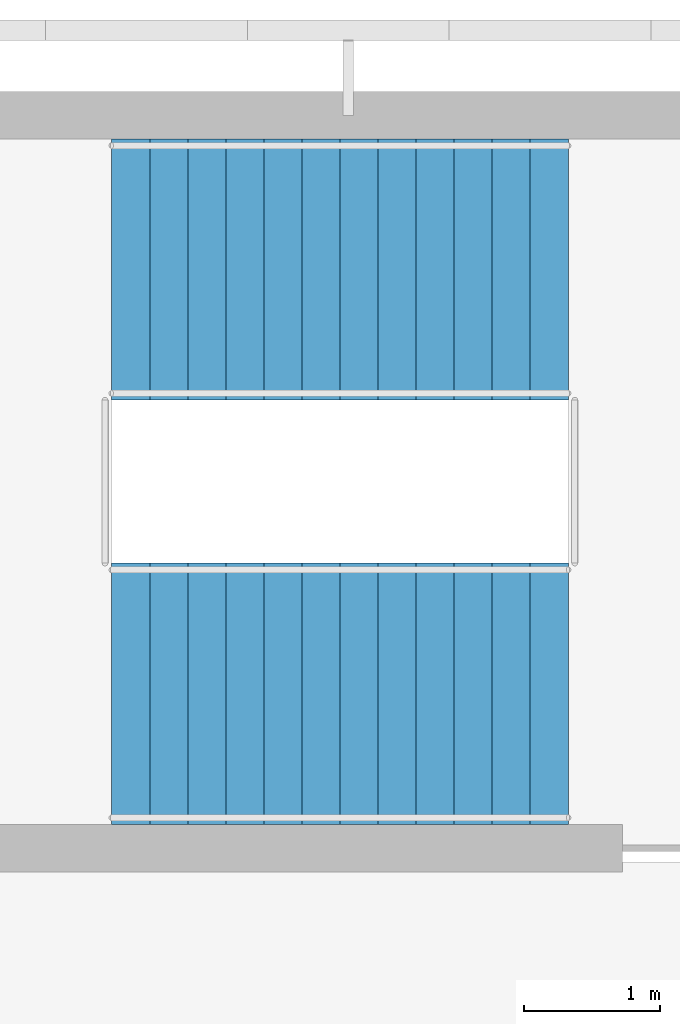
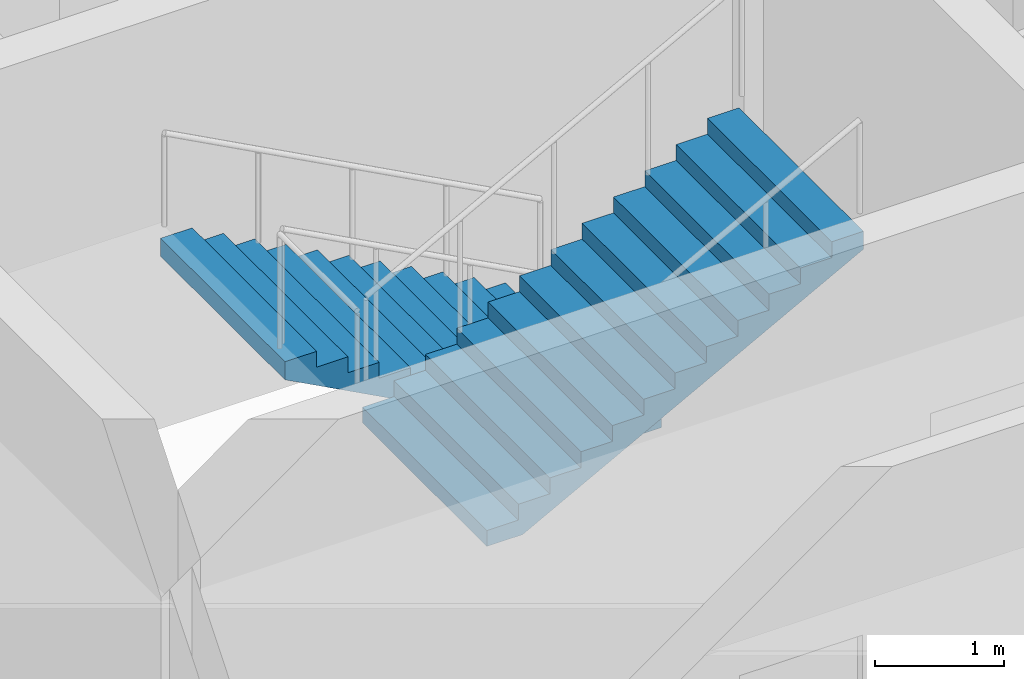
# One storey, part 29 of 46: 2 stair flights, 1 element without a shape of its own.
"""IFC4 building model written with IfcOpenShell, lengths in metres."""

from ifc_helpers import new_model, si_unit, direction, frame, origin, place, context, subcontext, project, spatial, polyline, outline, extrude, material, type_object, element, aggregate, save


model = new_model("IFC4")

# Units and contexts
model_context = context("Model", 3, precision=1e-05, world=origin(), true_north=direction((0.0, 1.0)))
body_context = subcontext(model_context, "Body", "Model", "MODEL_VIEW")
ifc_project = project(units=[si_unit("LENGTHUNIT", "METRE"), si_unit("AREAUNIT", "SQUARE_METRE"), si_unit("VOLUMEUNIT", "CUBIC_METRE"), si_unit("PLANEANGLEUNIT", "RADIAN"), si_unit("MASSUNIT", "GRAM", prefix="KILO")], contexts=[model_context])

# Site, building, storey
site_placement = place(None, origin())
site = spatial("IfcSite", under=ifc_project, at=site_placement, CompositionType="ELEMENT")
building_placement = place(site_placement, origin())
building = spatial("IfcBuilding", under=site, at=building_placement, Name="Bougainvillea Quay General Hospital", CompositionType="ELEMENT")
storey_placement = place(building_placement, frame((0.0, 0.0, 28.800048828125)))
storey = spatial("IfcBuildingStorey", under=building, at=storey_placement, Name="L06", CompositionType="ELEMENT", Elevation=28.800048828125)

# Stair, stair flights
ifc_material = material(Name="Concrete C35", Category="concrete")
stair_type = type_object("IfcStairType", Name="Stair half-turn 1925 wide", PredefinedType="HALF_TURN_STAIR", material=ifc_material)
stair_placement = place(storey_placement, origin())
stair = element("IfcStair", 1, at=stair_placement, inside=storey, type_object=stair_type, Name="L06 stair ST-A4", PredefinedType="HALF_TURN_STAIR")
stair_flight_type = type_object("IfcStairFlightType", Name="Stair flight 1925", PredefinedType="STRAIGHT", material=ifc_material)
stair_flight_1_placement = place(storey_placement, frame((182.699951171875, 158.46240234375, 0.0), z_axis=(0.0, 0.0, 1.0), x_axis=(-1.0, 0.0, 0.0)))
stair_flight_1 = element("IfcStairFlight", 2, at=stair_flight_1_placement, type_object=stair_flight_type, Name="ST-A4 flight 1", NumberOfRisers=13, NumberOfTreads=12, PredefinedType="STRAIGHT", RiserHeight=0.15, TreadLength=0.28, context=body_context, shape_type="SweptSolid", body=[
    extrude(outline(polyline([(-0.0029296875, 0.0), (-0.0029296875, 0.003662109375), (-0.0029296875, 0.00732421875), (-0.0029296875, 0.010986328125), (-0.0029296875, 0.0146484375), (-0.0029296875, 0.018310546875), (-0.0029296875, 0.02197265625), (-0.0029296875, 0.025634765625), (-0.0029296875, 0.029296875), (-0.0029296875, 0.032958984375), (-0.0029296875, 0.03662109375), (-0.0029296875, 0.040283203125), (-0.0029296875, 0.0439453125), (-0.0029296875, 0.047607421875), (-0.0029296875, 0.05126953125), (-0.0029296875, 0.054931640625), (-0.0029296875, 0.05859375), (-0.0029296875, 0.062255859375), (-0.0029296875, 0.06591796875), (-0.0029296875, 0.069580078125), (-0.0029296875, 0.0732421875), (-0.0029296875, 0.076904296875), (-0.0029296875, 0.08056640625), (-0.0029296875, 0.084228515625), (-0.0029296875, 0.087890625), (-0.0029296875, 0.091552734375), (-0.0029296875, 0.09521484375), (-0.0029296875, 0.098876953125), (-0.0029296875, 0.1025390625), (-0.0029296875, 0.106201171875), (-0.0029296875, 0.10986328125), (-0.0029296875, 0.113525390625), (-0.0029296875, 0.1171875), (-0.0029296875, 0.120849609375), (-0.0029296875, 0.12451171875), (-0.0029296875, 0.1279296875), (-0.0029296875, 0.131591796875), (-0.0029296875, 0.13525390625), (-0.0029296875, 0.138916015625), (-0.0029296875, 0.142578125), (-0.0029296875, 0.146240234375), (-0.0029296875, 0.14990234375), (0.280029296875, 0.14990234375), (0.280029296875, 0.300048828125), (0.56005859375, 0.300048828125), (0.56005859375, 0.449951171875), (0.840087890625, 0.449951171875), (0.840087890625, 0.60009765625), (1.1201171875, 0.60009765625), (1.1201171875, 0.75), (1.39990234375, 0.75), (1.39990234375, 0.89990234375), (1.679931640625, 0.89990234375), (1.679931640625, 1.050048828125), (1.9599609375, 1.050048828125), (1.9599609375, 1.199951171875), (2.239990234375, 1.199951171875), (2.239990234375, 1.35009765625), (2.52001953125, 1.35009765625), (2.52001953125, 1.5), (2.800048828125, 1.5), (2.800048828125, 1.64990234375), (3.080078125, 1.64990234375), (3.080078125, 1.800048828125), (3.363037109375, 1.800048828125), (3.363037109375, 1.7958984375), (3.363037109375, 1.791748046875), (3.363037109375, 1.78759765625), (3.363037109375, 1.783447265625), (3.363037109375, 1.779296875), (3.363037109375, 1.775146484375), (3.363037109375, 1.77099609375), (3.363037109375, 1.766845703125), (3.363037109375, 1.7626953125), (3.363037109375, 1.758544921875), (3.363037109375, 1.75439453125), (3.363037109375, 1.750244140625), (3.363037109375, 1.74609375), (3.363037109375, 1.741943359375), (3.363037109375, 1.73779296875), (3.363037109375, 1.733642578125), (3.363037109375, 1.7294921875), (3.363037109375, 1.725341796875), (3.363037109375, 1.72119140625), (3.363037109375, 1.717041015625), (3.363037109375, 1.712890625), (3.363037109375, 1.708740234375), (3.363037109375, 1.70458984375), (3.363037109375, 1.700439453125), (3.363037109375, 1.6962890625), (3.363037109375, 1.692138671875), (3.363037109375, 1.68798828125), (3.363037109375, 1.683837890625), (3.363037109375, 1.6796875), (3.363037109375, 1.675537109375), (3.363037109375, 1.67138671875), (3.363037109375, 1.667236328125), (3.363037109375, 1.6630859375), (3.363037109375, 1.658935546875), (3.363037109375, 1.65478515625), (3.363037109375, 1.650634765625), (3.363037109375, 1.646484375), (3.363037109375, 1.642333984375), (3.363037109375, 1.63818359375), (3.363037109375, 1.634033203125), (3.363037109375, 1.6298828125), (0.3173828125, 0.0), (-0.0029296875, 0.0)])), frame((0.0, 0.96240234375, 0.0), z_axis=(0.0, -1.0, 0.0), x_axis=(1.0, 0.0, 0.0)), (0.0, 0.0, 1.0), 1.925048828125),
])
stair_flight_2_placement = place(storey_placement, frame((179.340087890625, 155.33740234375, 1.949951171875), z_axis=(0.0, 0.0, 1.0), x_axis=(1.0, 0.0, 0.0)))
stair_flight_2 = element("IfcStairFlight", 3, at=stair_flight_2_placement, type_object=stair_flight_type, Name="ST-A4 flight 2", NumberOfRisers=13, NumberOfTreads=12, PredefinedType="STRAIGHT", RiserHeight=0.15, TreadLength=0.28, context=body_context, shape_type="SweptSolid", body=[
    extrude(outline(polyline([(-0.0029296875, 0.0), (-0.0029296875, 0.003662109375), (-0.0029296875, 0.00732421875), (-0.0029296875, 0.010986328125), (-0.0029296875, 0.0146484375), (-0.0029296875, 0.018310546875), (-0.0029296875, 0.02197265625), (-0.0029296875, 0.025634765625), (-0.0029296875, 0.029296875), (-0.0029296875, 0.032958984375), (-0.0029296875, 0.03662109375), (-0.0029296875, 0.040283203125), (-0.0029296875, 0.0439453125), (-0.0029296875, 0.047607421875), (-0.0029296875, 0.05126953125), (-0.0029296875, 0.054931640625), (-0.0029296875, 0.05859375), (-0.0029296875, 0.062255859375), (-0.0029296875, 0.06591796875), (-0.0029296875, 0.069580078125), (-0.0029296875, 0.0732421875), (-0.0029296875, 0.076904296875), (-0.0029296875, 0.08056640625), (-0.0029296875, 0.084228515625), (-0.0029296875, 0.087890625), (-0.0029296875, 0.091552734375), (-0.0029296875, 0.09521484375), (-0.0029296875, 0.098876953125), (-0.0029296875, 0.1025390625), (-0.0029296875, 0.106201171875), (-0.0029296875, 0.10986328125), (-0.0029296875, 0.113525390625), (-0.0029296875, 0.1171875), (-0.0029296875, 0.120849609375), (-0.0029296875, 0.12451171875), (-0.0029296875, 0.1279296875), (-0.0029296875, 0.131591796875), (-0.0029296875, 0.13525390625), (-0.0029296875, 0.138916015625), (-0.0029296875, 0.142578125), (-0.0029296875, 0.146240234375), (-0.0029296875, 0.14990234375), (0.280029296875, 0.14990234375), (0.280029296875, 0.300048828125), (0.56005859375, 0.300048828125), (0.56005859375, 0.449951171875), (0.840087890625, 0.449951171875), (0.840087890625, 0.60009765625), (1.1201171875, 0.60009765625), (1.1201171875, 0.75), (1.39990234375, 0.75), (1.39990234375, 0.89990234375), (1.679931640625, 0.89990234375), (1.679931640625, 1.050048828125), (1.9599609375, 1.050048828125), (1.9599609375, 1.199951171875), (2.239990234375, 1.199951171875), (2.239990234375, 1.35009765625), (2.52001953125, 1.35009765625), (2.52001953125, 1.5), (2.800048828125, 1.5), (2.800048828125, 1.64990234375), (3.080078125, 1.64990234375), (3.080078125, 1.800048828125), (3.363037109375, 1.800048828125), (3.363037109375, 1.7958984375), (3.363037109375, 1.791748046875), (3.363037109375, 1.78759765625), (3.363037109375, 1.783447265625), (3.363037109375, 1.779296875), (3.363037109375, 1.775146484375), (3.363037109375, 1.77099609375), (3.363037109375, 1.766845703125), (3.363037109375, 1.7626953125), (3.363037109375, 1.758544921875), (3.363037109375, 1.75439453125), (3.363037109375, 1.750244140625), (3.363037109375, 1.74609375), (3.363037109375, 1.741943359375), (3.363037109375, 1.73779296875), (3.363037109375, 1.733642578125), (3.363037109375, 1.7294921875), (3.363037109375, 1.725341796875), (3.363037109375, 1.72119140625), (3.363037109375, 1.717041015625), (3.363037109375, 1.712890625), (3.363037109375, 1.708740234375), (3.363037109375, 1.70458984375), (3.363037109375, 1.700439453125), (3.363037109375, 1.6962890625), (3.363037109375, 1.692138671875), (3.363037109375, 1.68798828125), (3.363037109375, 1.683837890625), (3.363037109375, 1.6796875), (3.363037109375, 1.675537109375), (3.363037109375, 1.67138671875), (3.363037109375, 1.667236328125), (3.363037109375, 1.6630859375), (3.363037109375, 1.658935546875), (3.363037109375, 1.65478515625), (3.363037109375, 1.650634765625), (3.363037109375, 1.646484375), (3.363037109375, 1.642333984375), (3.363037109375, 1.63818359375), (3.363037109375, 1.634033203125), (3.363037109375, 1.6298828125), (0.3173828125, 0.0), (-0.0029296875, 0.0)])), frame((0.0, 0.96240234375, 0.0), z_axis=(0.0, -1.0, 0.0), x_axis=(1.0, 0.0, 0.0)), (0.0, 0.0, 1.0), 1.925048828125),
])
aggregate(stair, [stair_flight_1, stair_flight_2])

save(model, "model.ifc")
